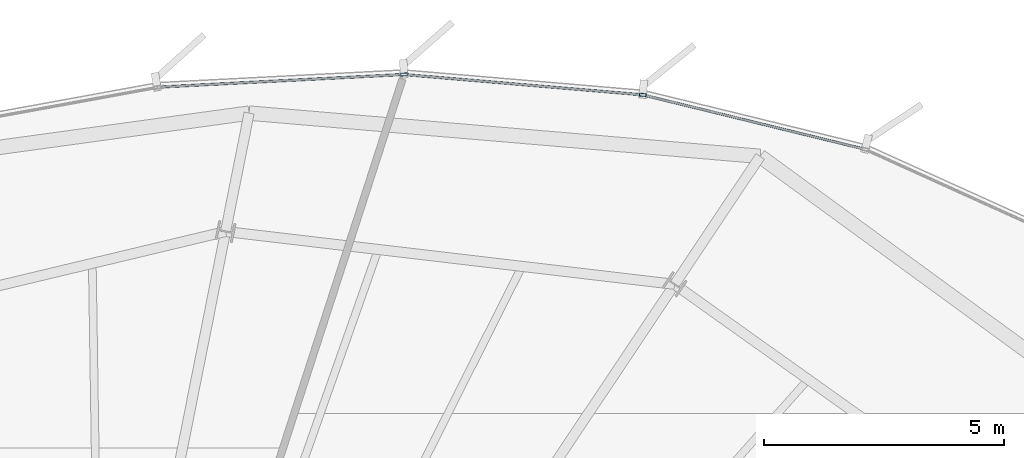
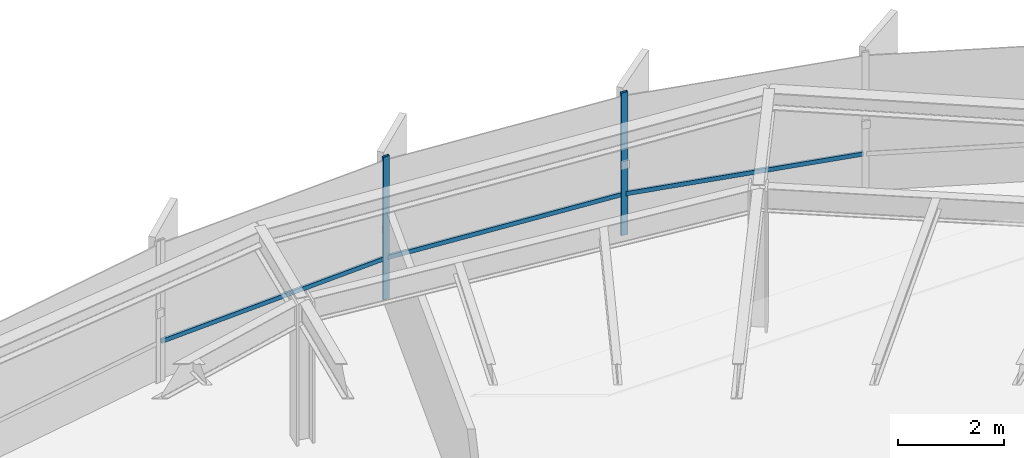
# One storey, part 26 of 34: 5 members, 1 element without a shape of its own.
"""IFC4 building model written with IfcOpenShell, lengths in metres."""

import ifcopenshell
import ifcopenshell.guid

model = None  # the IFC model being written
_history = None  # IfcOwnerHistory: only IFC2X3 demands one
_inside = {}  # id of a spatial element -> (the spatial element, [elements in it])
_under = {}  # id of a project, library or spatial element -> (it, [spatial elements below it])
_declared = {}  # id of a project -> (the project, [libraries it declares])
_typed = {}  # id of a type object -> (the type object, [elements of that type])
_made_of = {}  # id of a material, layer set ... -> (it, [elements and type objects made of it])


def new_model(schema):
    """Start an empty IFC model of exactly this schema.

    Asked for "IFC4X3", IfcOpenShell would pick the latest addendum, in which some entities
    have other attributes; the version numbers below select the first issue.
    IFC2X3 requires an IfcOwnerHistory on every rooted entity: one is made here for all.
    """
    global model, _history
    if schema == "IFC4X3":
        model = ifcopenshell.file(schema_version=(4, 3, 0, 0))
    else:
        model = ifcopenshell.file(schema=schema)
    _inside.clear()
    _under.clear()
    _declared.clear()
    _typed.clear()
    _made_of.clear()
    _history = None
    if model.schema == "IFC2X3":
        org = make("IfcOrganization", Name="unknown")
        user = make(
            "IfcPersonAndOrganization",
            ThePerson=make("IfcPerson", FamilyName="unknown"),
            TheOrganization=org,
        )
        app = make(
            "IfcApplication",
            ApplicationDeveloper=org,
            Version="unknown",
            ApplicationFullName="unknown",
            ApplicationIdentifier="unknown",
        )
        _history = make(
            "IfcOwnerHistory",
            OwningUser=user,
            OwningApplication=app,
            ChangeAction="ADDED",
            CreationDate=0,
        )
    return model


def make(cls, **values):
    """One entity of the class cls with the attributes given. An attribute that is None is left unset."""
    return model.create_entity(
        cls, **{name: value for name, value in values.items() if value is not None}
    )


def rooted(cls, **values):
    """An entity with a GlobalId (a new one), such as an element, a storey or a relation."""
    return make(cls, GlobalId=ifcopenshell.guid.new(), OwnerHistory=_history, **values)


def si_unit(unit_type, name, prefix=None):
    """IfcSIUnit, for example si_unit("LENGTHUNIT", "METRE", prefix="MILLI")."""
    return make("IfcSIUnit", UnitType=unit_type, Prefix=prefix, Name=name)


def assignment(units):
    """IfcUnitAssignment: the units of a project."""
    return None if units is None else make("IfcUnitAssignment", Units=units)


def point(xyz):
    """IfcCartesianPoint."""
    return None if xyz is None else make("IfcCartesianPoint", Coordinates=xyz)


def direction(xyz):
    """IfcDirection."""
    return None if xyz is None else make("IfcDirection", DirectionRatios=xyz)


def frame(location, z_axis=None, x_axis=None):
    """IfcAxis2Placement3D, a coordinate frame: its origin and axes. An axis left out is left unset."""
    return make(
        "IfcAxis2Placement3D",
        Location=point(location),
        Axis=direction(z_axis),
        RefDirection=direction(x_axis),
    )


def frame_2d(location, x_axis=None):
    """IfcAxis2Placement2D, a coordinate frame in the plane: its origin and x axis."""
    return make(
        "IfcAxis2Placement2D", Location=point(location), RefDirection=direction(x_axis)
    )


def origin():
    """The frame at (0, 0, 0) with its axes left unset."""
    return frame((0.0, 0.0, 0.0))


def origin_2d():
    """The frame at (0, 0) in the plane with its x axis left unset."""
    return frame_2d((0.0, 0.0))


def place(relative_to, where):
    """IfcLocalPlacement: puts the frame where relative to a parent placement (None: the world)."""
    return make(
        "IfcLocalPlacement", PlacementRelTo=relative_to, RelativePlacement=where
    )


def context(
    kind, dimensions, precision=None, world=None, true_north=None, identifier=None
):
    """IfcGeometricRepresentationContext, for example the 3D "Model" context."""
    return make(
        "IfcGeometricRepresentationContext",
        ContextIdentifier=identifier,
        ContextType=kind,
        CoordinateSpaceDimension=dimensions,
        Precision=precision,
        WorldCoordinateSystem=world,
        TrueNorth=true_north,
    )


def subcontext(parent, identifier, kind, view, scale=None):
    """IfcGeometricRepresentationSubContext, for example "Body" below "Model"."""
    return make(
        "IfcGeometricRepresentationSubContext",
        ContextIdentifier=identifier,
        ContextType=kind,
        ParentContext=parent,
        TargetScale=scale,
        TargetView=view,
    )


def project(units=None, contexts=None):
    """IfcProject with its units and contexts."""
    return rooted(
        "IfcProject",
        Name="project",
        RepresentationContexts=contexts,
        UnitsInContext=assignment(units),
    )


def spatial(cls, under=None, at=None, **own):
    """A site, building, storey or space (cls), placed at a placement, below another one or the project."""
    s = rooted(cls, ObjectPlacement=at, **own)
    if under is not None:
        _under.setdefault(under.id(), (under, []))[1].append(s)
    return s


def profile(cls, at=None, kind="AREA", **sizes):
    """A parametric profile (cls). Its sizes go by their IFC names, for example OverallWidth=200.0."""
    return make(cls, ProfileType=kind, Position=at, **sizes)


def hollow_rectangle(**sizes):
    """IfcRectangleHollowProfileDef."""
    return profile("IfcRectangleHollowProfileDef", **sizes)


def extrude(swept, where, along, depth):
    """IfcExtrudedAreaSolid: the profile swept, set in the frame where, extruded along a direction by depth."""
    return make(
        "IfcExtrudedAreaSolid",
        SweptArea=swept,
        Position=where,
        ExtrudedDirection=direction(along),
        Depth=depth,
    )


def shape(context_of_items, identifier, shape_type, items):
    """IfcShapeRepresentation: the items that make up one representation, for example the "Body"."""
    return make(
        "IfcShapeRepresentation",
        ContextOfItems=context_of_items,
        RepresentationIdentifier=identifier,
        RepresentationType=shape_type,
        Items=items,
    )


def source(mapping_origin, context_of_items, identifier, shape_type, items):
    """IfcRepresentationMap: a shape defined once, which mapped items show again and again."""
    return make(
        "IfcRepresentationMap",
        MappingOrigin=mapping_origin,
        MappedRepresentation=shape(context_of_items, identifier, shape_type, items),
    )


def transform(
    local_origin,
    x_axis=None,
    y_axis=None,
    z_axis=None,
    scale=None,
    scale2=None,
    scale3=None,
    uniform=True,
):
    """IfcCartesianTransformationOperator3D, or its non-uniform kind. x_axis, y_axis, z_axis: its Axis1, 2, 3."""
    if uniform:
        return make(
            "IfcCartesianTransformationOperator3D",
            Axis1=direction(x_axis),
            Axis2=direction(y_axis),
            LocalOrigin=point(local_origin),
            Scale=scale,
            Axis3=direction(z_axis),
        )
    return make(
        "IfcCartesianTransformationOperator3DnonUniform",
        Axis1=direction(x_axis),
        Axis2=direction(y_axis),
        LocalOrigin=point(local_origin),
        Scale=scale,
        Axis3=direction(z_axis),
        Scale2=scale2,
        Scale3=scale3,
    )


def mapped(mapping_source, mapping_target):
    """IfcMappedItem: shows the shape of a source again, moved by a transform."""
    return make(
        "IfcMappedItem", MappingSource=mapping_source, MappingTarget=mapping_target
    )


def material(Name=None, Category=None):
    """IfcMaterial."""
    return make("IfcMaterial", Name=Name, Category=Category)


def layer(
    of_material, thickness, ventilated=None, Name=None, Category=None, Priority=None
):
    """IfcMaterialLayer: one layer of a wall or slab, of a material (None: an air gap)."""
    return make(
        "IfcMaterialLayer",
        Material=of_material,
        LayerThickness=thickness,
        IsVentilated=ventilated,
        Name=Name,
        Category=Category,
        Priority=Priority,
    )


def layer_set(layers, Name=None):
    """IfcMaterialLayerSet."""
    return make("IfcMaterialLayerSet", MaterialLayers=layers, LayerSetName=Name)


def material_profile(
    of_material, cross_section, Name=None, Category=None, Priority=None
):
    """IfcMaterialProfile: a cross section and its material."""
    return make(
        "IfcMaterialProfile",
        Name=Name,
        Material=of_material,
        Profile=cross_section,
        Priority=Priority,
        Category=Category,
    )


def profile_set(profiles, Name=None, composite=None):
    """IfcMaterialProfileSet."""
    return make(
        "IfcMaterialProfileSet",
        Name=Name,
        MaterialProfiles=profiles,
        CompositeProfile=composite,
    )


def made_of(thing, what):
    """Note that an element or type object is made of a material, layer set ...; save() writes the relation."""
    if what is not None:
        _made_of.setdefault(what.id(), (what, []))[1].append(thing)
    return thing


def type_object(cls, material=None, **own):
    """A type object (cls), such as IfcWallType, which elements share."""
    return made_of(rooted(cls, **own), material)


def element(
    cls,
    number,
    at=None,
    inside=None,
    cuts=None,
    type_object=None,
    material=None,
    context=None,
    identifier="Body",
    shape_type=None,
    held_by="IfcProductDefinitionShape",
    body=None,
    shapes=None,
    **own,
):
    """One element of the class cls, such as IfcWall. Its Tag is "e" and its number.

    at: its placement. inside: the storey or other place that contains it. cuts: it is an
    opening in that element (IfcRelVoidsElement). A single representation is given by context,
    identifier, shape_type and body (its items); several are given by shapes. held_by: the class
    of the entity that holds the representations. save() writes the other relations.
    """
    e = rooted(cls, Tag="e%d" % number, ObjectPlacement=at, **own)
    if body is not None:
        shapes = [shape(context, identifier, shape_type, body)]
    if shapes is not None:
        e.Representation = make(held_by, Representations=shapes)
    if inside is not None:
        _inside.setdefault(inside.id(), (inside, []))[1].append(e)
    if cuts is not None:
        rooted(
            "IfcRelVoidsElement", RelatingBuildingElement=cuts, RelatedOpeningElement=e
        )
    if type_object is not None:
        _typed.setdefault(type_object.id(), (type_object, []))[1].append(e)
    return made_of(e, material)


def aggregate(whole, parts):
    """IfcRelAggregates: a whole, such as a stair, and the parts it consists of."""
    return rooted("IfcRelAggregates", RelatingObject=whole, RelatedObjects=parts)


def save(model, path):
    """Write the relations noted so far, then the file.

    IfcRelAggregates (storeys below a building ...), IfcRelContainedInSpatialStructure (elements
    in a storey), IfcRelDefinesByType, IfcRelAssociatesMaterial and IfcRelDeclares: one each for
    every whole, place, type object, material and project.
    """
    for whole, parts in _under.values():
        aggregate(whole, parts)
    for where, things in _inside.values():
        rooted(
            "IfcRelContainedInSpatialStructure",
            RelatedElements=things,
            RelatingStructure=where,
        )
    for kind, things in _typed.values():
        rooted("IfcRelDefinesByType", RelatedObjects=things, RelatingType=kind)
    for what, things in _made_of.values():
        rooted("IfcRelAssociatesMaterial", RelatedObjects=things, RelatingMaterial=what)
    for by, libraries in _declared.values():
        rooted("IfcRelDeclares", RelatingContext=by, RelatedDefinitions=libraries)
    model.write(path)


model = new_model("IFC4")

# Units and contexts
model_context = context("Model", 3, precision=1e-05, world=origin(), true_north=direction((0.0, 1.0)))
body_context = subcontext(model_context, "Body", "Model", "MODEL_VIEW")
ifc_project = project(units=[si_unit("LENGTHUNIT", "METRE"), si_unit("AREAUNIT", "SQUARE_METRE"), si_unit("VOLUMEUNIT", "CUBIC_METRE"), si_unit("PLANEANGLEUNIT", "RADIAN"), si_unit("MASSUNIT", "GRAM", prefix="KILO"), si_unit("THERMODYNAMICTEMPERATUREUNIT", "KELVIN")], contexts=[model_context])

# Site, building, storey
site_placement = place(None, origin())
site = spatial("IfcSite", under=ifc_project, at=site_placement, CompositionType="ELEMENT")
building_placement = place(site_placement, origin())
building = spatial("IfcBuilding", under=site, at=building_placement, Name="Kethvar Cultural Tower", CompositionType="ELEMENT")
storey_placement = place(building_placement, frame((0.0, 0.0, 153.64990234375)))
storey = spatial("IfcBuildingStorey", under=building, at=storey_placement, Name="L39", CompositionType="ELEMENT", Elevation=153.64990234375)

# Curtain wall, members
ifc_material = material(Name="Aluminium 6063-T6", Category="aluminium")
ifc_layer = layer(ifc_material, 0.179931640625, Name="Aluminium 6063-T6", Category="aluminium")
ifc_layer_set = layer_set([ifc_layer], Name="Aluminium 6063-T6 (180 mm)")
curtain_wall_type = type_object("IfcCurtainWallType", Name="CW-SYS-04-Z34", PredefinedType="NOTDEFINED", material=ifc_layer_set)
curtain_wall_placement = place(storey_placement, origin())
curtain_wall = element("IfcCurtainWall", 1, at=curtain_wall_placement, inside=storey, type_object=curtain_wall_type, Name="L39 Curtain Wall Run 01", PredefinedType="NOTDEFINED")
ifc_material_profile_1 = material_profile(ifc_material, hollow_rectangle(XDim=0.06005859375, YDim=0.139892578125, WallThickness=0.0048828125, at=origin_2d()), Name="Aluminium 6063-T6 — RHS140x60x5")
ifc_profile_set_1 = profile_set([ifc_material_profile_1], Name="Aluminium 6063-T6 — RHS140x60x5")
member_type_1 = type_object("IfcMemberType", Name="CW-SYS-04-Z34-MUL", PredefinedType="MULLION", material=ifc_profile_set_1)
shared_shape_1 = source(origin(), body_context, "Body", "SweptSolid", [
    extrude(hollow_rectangle(XDim=0.06005859375, YDim=0.139892578125, WallThickness=0.0048828125, at=origin_2d()), origin(), (0.0, 0.0, 1.0), 3.300048828125),
])
member_1_placement = place(storey_placement, frame((59.742431640625, 52.10009765625, 0.0), z_axis=(0.0, 0.0, 1.0), x_axis=(-0.084825664932, -0.996395808185, 0.0)))
member_1 = element("IfcMember", 2, at=member_1_placement, type_object=member_type_1, Name="CW-L39-R01 Mullion 5", PredefinedType="MULLION", context=body_context, shape_type="MappedRepresentation", body=[
    mapped(shared_shape_1, transform((0.0, 0.0, 0.0), scale=1.0)),
])
member_2_placement = place(storey_placement, frame((54.7783203125, 52.523681640625, 0.0), z_axis=(0.0, 0.0, 1.0), x_axis=(0.051447037584, -0.998675724309, 0.0)))
member_2 = element("IfcMember", 3, at=member_2_placement, type_object=member_type_1, Name="CW-L39-R01 Mullion 6", PredefinedType="MULLION", context=body_context, shape_type="MappedRepresentation", body=[
    mapped(shared_shape_1, transform((0.0, 0.0, 0.0), scale=1.0)),
])
ifc_material_profile_2 = material_profile(ifc_material, hollow_rectangle(XDim=0.050048828125, YDim=0.10009765625, WallThickness=0.00390625, at=origin_2d()), Name="Aluminium 6063-T6 — RHS100x50x4")
ifc_profile_set_2 = profile_set([ifc_material_profile_2], Name="Aluminium 6063-T6 — RHS100x50x4")
member_type_2 = type_object("IfcMemberType", Name="CW-SYS-04-Z34-TRN", PredefinedType="USERDEFINED", material=ifc_profile_set_2)
shared_shape_2 = source(origin(), body_context, "Body", "SweptSolid", [
    extrude(hollow_rectangle(XDim=0.050048828125, YDim=0.10009765625, WallThickness=0.00390625, at=origin_2d()), origin(), (0.0, 0.0, 1.0), 4.690673828125),
])
member_3_placement = place(storey_placement, frame((64.32421875, 50.978759765625, 0.9501953125), z_axis=(-0.971402741334, 0.237437811078, 0.0), x_axis=(-0.237437811078, -0.971402741334, 0.0)))
member_3 = element("IfcMember", 4, at=member_3_placement, type_object=member_type_2, Name="CW-L39-R01 Transom 4", ObjectType="TRANSOM", PredefinedType="USERDEFINED", context=body_context, shape_type="MappedRepresentation", body=[
    mapped(shared_shape_2, transform((0.0, 0.0, 0.0), scale=1.0)),
])
shared_shape_3 = source(origin(), body_context, "Body", "SweptSolid", [
    extrude(hollow_rectangle(XDim=0.050048828125, YDim=0.10009765625, WallThickness=0.00390625, at=origin_2d()), origin(), (0.0, 0.0, 1.0), 4.91064453125),
])
member_4_placement = place(storey_placement, frame((59.69921875, 52.103759765625, 0.9501953125), z_axis=(-0.996396755833, 0.084814532754, 0.0), x_axis=(-0.084814532754, -0.996396755833, 0.0)))
member_4 = element("IfcMember", 5, at=member_4_placement, type_object=member_type_2, Name="CW-L39-R01 Transom 5", ObjectType="TRANSOM", PredefinedType="USERDEFINED", context=body_context, shape_type="MappedRepresentation", body=[
    mapped(shared_shape_3, transform((0.0, 0.0, 0.0), scale=1.0)),
])
shared_shape_4 = source(origin(), body_context, "Body", "SweptSolid", [
    extrude(hollow_rectangle(XDim=0.050048828125, YDim=0.10009765625, WallThickness=0.00390625, at=origin_2d()), origin(), (0.0, 0.0, 1.0), 5.023193359375),
])
member_5_placement = place(storey_placement, frame((54.735107421875, 52.521484375, 0.9501953125), z_axis=(-0.998677061235, -0.051421078975, 0.0), x_axis=(0.051421078975, -0.998677061235, 0.0)))
member_5 = element("IfcMember", 6, at=member_5_placement, type_object=member_type_2, Name="CW-L39-R01 Transom 6", ObjectType="TRANSOM", PredefinedType="USERDEFINED", context=body_context, shape_type="MappedRepresentation", body=[
    mapped(shared_shape_4, transform((0.0, 0.0, 0.0), scale=1.0)),
])
aggregate(curtain_wall, [member_1, member_2, member_3, member_4, member_5])

save(model, "model.ifc")
